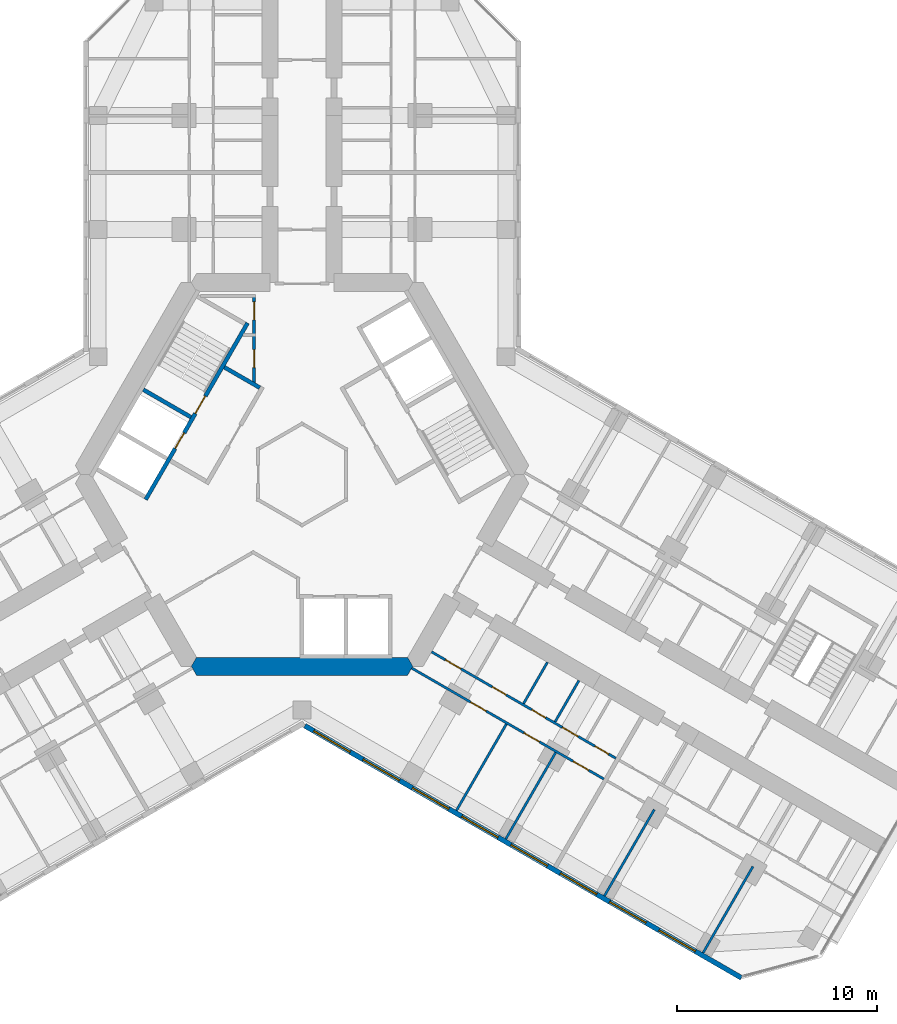
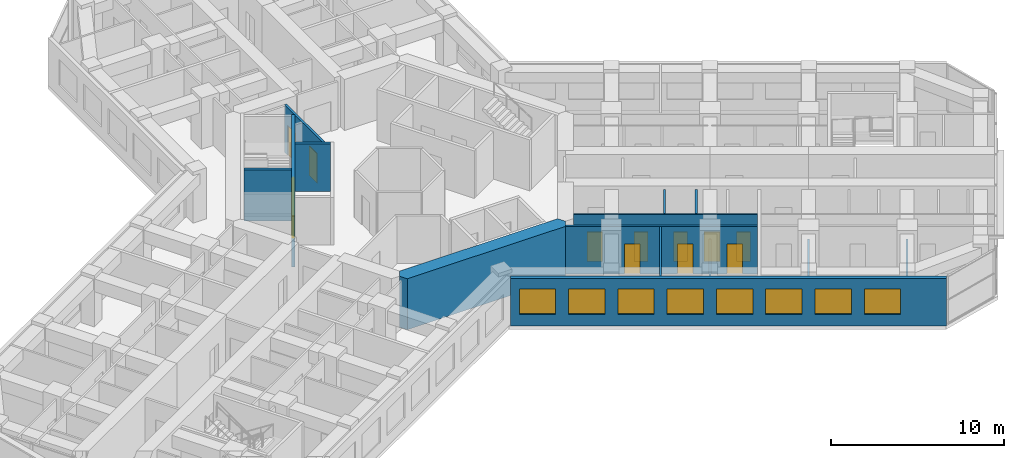
# One storey, part 13 of 19: 14 walls, 12 doors, 8 windows, 20 openings.
"""IFC4 building model written with IfcOpenShell, lengths in metres."""

from ifc_helpers import new_model, si_unit, direction, frame, frame_2d, origin, place, context, subcontext, project, spatial, polyline, rectangle, outline, extrude, material, layer, layer_set, type_object, element, fill, save


model = new_model("IFC4")

# Units and contexts
model_context = context("Model", 3, precision=1e-05, world=origin(), true_north=direction((0.0, 1.0)))
body_context = subcontext(model_context, "Body", "Model", "MODEL_VIEW")
ifc_project = project(units=[si_unit("LENGTHUNIT", "METRE"), si_unit("AREAUNIT", "SQUARE_METRE"), si_unit("VOLUMEUNIT", "CUBIC_METRE"), si_unit("PLANEANGLEUNIT", "RADIAN"), si_unit("MASSUNIT", "GRAM", prefix="KILO")], contexts=[model_context])

# Site, building, storey
site_placement = place(None, origin())
site = spatial("IfcSite", under=ifc_project, at=site_placement, CompositionType="ELEMENT")
building_placement = place(site_placement, origin())
building = spatial("IfcBuilding", under=site, at=building_placement, Name="Kosmar Iwan School Tower", CompositionType="ELEMENT")
storey_placement = place(building_placement, frame((0.0, 0.0, 172.39990234375)))
storey = spatial("IfcBuildingStorey", under=building, at=storey_placement, Name="L43", CompositionType="ELEMENT", Elevation=172.39990234375)

# Wall, openings, doors
ifc_material_1 = material(Name="Gypsum board on steel studs, fire-rated", Category="steel")
ifc_layer_1 = layer(ifc_material_1, 0.14990234375)
ifc_layer_set_1 = layer_set([ifc_layer_1], Name="Core room partition 150")
wall_type_1 = type_object("IfcWallType", Name="Core room partition 150", PredefinedType="PARTITIONING", material=ifc_layer_set_1)
wall_1_placement = place(storey_placement, frame((-2.39990234375, 9.014892578125, 0.0), z_axis=(0.0, 0.0, 1.0), x_axis=(0.0, -1.0, 0.0)))
wall_1 = element("IfcWall", 1, at=wall_1_placement, inside=storey, type_object=wall_type_1, Name="Core room partition L43-CW1", PredefinedType="PARTITIONING", context=body_context, shape_type="SweptSolid", body=[
    extrude(rectangle(XDim=4.484130859375, YDim=0.14990234375, at=frame_2d((2.2421875, 0.0))), origin(), (0.0, 0.0, 1.0), 3.35009765625),
])
opening_1_placement = place(wall_1_placement, frame((0.375, 0.0, 0.0)))
opening_1 = element("IfcOpeningElement", 2, at=opening_1_placement, cuts=wall_1, Name="Opening D14", PredefinedType="OPENING", context=body_context, shape_type="SweptSolid", body=[
    extrude(rectangle(XDim=0.89990234375, YDim=2.10009765625, at=frame_2d((0.449951171875, 1.050048828125))), frame((0.0, 0.0869140625, 0.0), z_axis=(0.0, -1.0, 0.0), x_axis=(1.0, 0.0, 0.0)), (0.0, 0.0, 1.0), 0.173828125),
])
opening_2_placement = place(wall_1_placement, frame((2.77490234375, 0.0, 0.0)))
opening_2 = element("IfcOpeningElement", 3, at=opening_2_placement, cuts=wall_1, Name="Opening D14", PredefinedType="OPENING", context=body_context, shape_type="SweptSolid", body=[
    extrude(rectangle(XDim=0.89990234375, YDim=2.10009765625, at=frame_2d((0.449951171875, 1.050048828125))), frame((0.0, 0.0869140625, 0.0), z_axis=(0.0, -1.0, 0.0), x_axis=(1.0, 0.0, 0.0)), (0.0, 0.0, 1.0), 0.173828125),
])
ifc_material_2 = material(Name="Timber fire door in steel frame", Category="steel")
door_type_1 = type_object("IfcDoorType", Name="Core room door 900x2100", OperationType="SINGLE_SWING_LEFT", PredefinedType="DOOR", material=ifc_material_2)
door_1_placement = place(opening_1_placement, origin())
door_1 = element("IfcDoor", 4, at=door_1_placement, inside=storey, type_object=door_type_1, Name="Electrical riser and switch room door L43 1", OperationType="SINGLE_SWING_LEFT", OverallHeight=2.10009765625, OverallWidth=0.89990234375, PredefinedType="DOOR", context=body_context, shape_type="SweptSolid", body=[
    extrude(rectangle(XDim=0.89990234375, YDim=2.10009765625, at=frame_2d((0.449951171875, 1.050048828125))), frame((0.0, 0.02490234375, 0.0), z_axis=(0.0, -1.0, 0.0), x_axis=(1.0, 0.0, 0.0)), (0.0, 0.0, 1.0), 0.050048828125),
])
fill(opening_1, door_1)
door_2_placement = place(opening_2_placement, origin())
door_2 = element("IfcDoor", 5, at=door_2_placement, inside=storey, type_object=door_type_1, Name="Plumbing and wet riser door L43 2", OperationType="SINGLE_SWING_RIGHT", OverallHeight=2.10009765625, OverallWidth=0.89990234375, PredefinedType="DOOR", context=body_context, shape_type="SweptSolid", body=[
    extrude(rectangle(XDim=0.89990234375, YDim=2.10009765625, at=frame_2d((0.449951171875, 1.050048828125))), frame((0.0, 0.02490234375, 0.0), z_axis=(0.0, -1.0, 0.0), x_axis=(1.0, 0.0, 0.0)), (0.0, 0.0, 1.0), 0.050048828125),
])
fill(opening_2, door_2)

# Wall
ifc_material_3 = material(Name="Concrete C50/60", Category="concrete")
ifc_layer_2 = layer(ifc_material_3, 0.89990234375)
ifc_layer_set_2 = layer_set([ifc_layer_2], Name="Core wall 900")
wall_type_2 = type_object("IfcWallType", Name="Core wall 900", PredefinedType="SHEAR", material=ifc_layer_set_2)
wall_2_placement = place(storey_placement, origin())
element("IfcWall", 6, at=wall_2_placement, inside=storey, type_object=wall_type_2, Name="Core wall F270", PredefinedType="SHEAR", context=body_context, shape_type="SweptSolid", body=[
    extrude(outline(polyline([(-5.28271484375, -10.050048828125), (5.28271484375, -10.050048828125), (5.54248046875, -9.60009765625), (5.28271484375, -9.14990234375), (-5.28271484375, -9.14990234375), (-5.54248046875, -9.60009765625), (-5.28271484375, -10.050048828125)])), origin(), (0.0, 0.0, 1.0), 3.60009765625),
])

# Wall, openings, doors
ifc_material_4 = material(Name="Gypsum board on steel studs", Category="steel")
ifc_layer_3 = layer(ifc_material_4, 0.1201171875)
ifc_layer_set_3 = layer_set([ifc_layer_3], Name="Dwelling partition 120")
wall_type_3 = type_object("IfcWallType", Name="Dwelling partition 120", PredefinedType="PARTITIONING", material=ifc_layer_set_3)
wall_3_placement = place(storey_placement, frame((6.478515625, -8.87890625, 0.0), z_axis=(0.0, 0.0, 1.0), x_axis=(0.866026778288, -0.499997619282, 0.0)))
wall_3 = element("IfcWall", 7, at=wall_3_placement, inside=storey, type_object=wall_type_3, Name="Partition L43-CR1-W1", PredefinedType="PARTITIONING", context=body_context, shape_type="SweptSolid", body=[
    extrude(rectangle(XDim=10.64990234375, YDim=0.1201171875, at=frame_2d((5.324951171875, 0.0))), origin(), (0.0, 0.0, 1.0), 3.35009765625),
])
opening_3_placement = place(wall_3_placement, frame((0.800048828125, 0.0, 0.0)))
opening_3 = element("IfcOpeningElement", 8, at=opening_3_placement, cuts=wall_3, Name="Opening D2", PredefinedType="OPENING", context=body_context, shape_type="SweptSolid", body=[
    extrude(rectangle(XDim=0.89990234375, YDim=2.10009765625, at=frame_2d((0.449951171875, 1.050048828125))), frame((0.0, 0.072021484375, 0.0), z_axis=(0.0, -1.0, 0.0), x_axis=(1.0, 0.0, 0.0)), (0.0, 0.0, 1.0), 0.14404296875),
])
opening_4_placement = place(wall_3_placement, frame((3.5166015625, 0.0, 0.0)))
opening_4 = element("IfcOpeningElement", 9, at=opening_4_placement, cuts=wall_3, Name="Opening D3", PredefinedType="OPENING", context=body_context, shape_type="SweptSolid", body=[
    extrude(rectangle(XDim=0.800048828125, YDim=2.10009765625, at=frame_2d((0.39990234375, 1.050048828125))), frame((0.0, 0.072021484375, 0.0), z_axis=(0.0, -1.0, 0.0), x_axis=(1.0, 0.0, 0.0)), (0.0, 0.0, 1.0), 0.14404296875),
])
opening_5_placement = place(wall_3_placement, frame((5.79443359375, 0.0, 0.0)))
opening_5 = element("IfcOpeningElement", 10, at=opening_5_placement, cuts=wall_3, Name="Opening D3", PredefinedType="OPENING", context=body_context, shape_type="SweptSolid", body=[
    extrude(rectangle(XDim=0.800048828125, YDim=2.10009765625, at=frame_2d((0.39990234375, 1.050048828125))), frame((0.0, 0.072021484375, 0.0), z_axis=(0.0, -1.0, 0.0), x_axis=(1.0, 0.0, 0.0)), (0.0, 0.0, 1.0), 0.14404296875),
])
opening_6_placement = place(wall_3_placement, frame((7.566650390625, 0.0, 0.0)))
opening_6 = element("IfcOpeningElement", 11, at=opening_6_placement, cuts=wall_3, Name="Opening D2", PredefinedType="OPENING", context=body_context, shape_type="SweptSolid", body=[
    extrude(rectangle(XDim=0.89990234375, YDim=2.10009765625, at=frame_2d((0.449951171875, 1.050048828125))), frame((0.0, 0.072021484375, 0.0), z_axis=(0.0, -1.0, 0.0), x_axis=(1.0, 0.0, 0.0)), (0.0, 0.0, 1.0), 0.14404296875),
])
opening_7_placement = place(wall_3_placement, frame((9.43896484375, 0.0, 0.0)))
opening_7 = element("IfcOpeningElement", 12, at=opening_7_placement, cuts=wall_3, Name="Opening D3", PredefinedType="OPENING", context=body_context, shape_type="SweptSolid", body=[
    extrude(rectangle(XDim=0.800048828125, YDim=2.10009765625, at=frame_2d((0.39990234375, 1.050048828125))), frame((0.0, 0.072021484375, 0.0), z_axis=(0.0, -1.0, 0.0), x_axis=(1.0, 0.0, 0.0)), (0.0, 0.0, 1.0), 0.14404296875),
])
ifc_material_5 = material(Name="Timber door in timber frame", Category="wood")
door_type_2 = type_object("IfcDoorType", Name="Internal door 900x2100", OperationType="SINGLE_SWING_LEFT", PredefinedType="DOOR", material=ifc_material_5)
door_3_placement = place(opening_3_placement, origin())
door_3 = element("IfcDoor", 13, at=door_3_placement, inside=storey, type_object=door_type_2, Name="Entrance hall door L43-CR1-S1", OperationType="SINGLE_SWING_LEFT", OverallHeight=2.10009765625, OverallWidth=0.89990234375, PredefinedType="DOOR", context=body_context, shape_type="SweptSolid", body=[
    extrude(rectangle(XDim=0.89990234375, YDim=2.10009765625, at=frame_2d((0.449951171875, 1.050048828125))), frame((0.0, 0.02490234375, 0.0), z_axis=(0.0, -1.0, 0.0), x_axis=(1.0, 0.0, 0.0)), (0.0, 0.0, 1.0), 0.050048828125),
])
fill(opening_3, door_3)
door_4_placement = place(opening_6_placement, origin())
door_4 = element("IfcDoor", 14, at=door_4_placement, inside=storey, type_object=door_type_2, Name="Pantry door L43-CR1-S4", OperationType="SINGLE_SWING_RIGHT", OverallHeight=2.10009765625, OverallWidth=0.89990234375, PredefinedType="DOOR", context=body_context, shape_type="SweptSolid", body=[
    extrude(rectangle(XDim=0.89990234375, YDim=2.10009765625, at=frame_2d((0.449951171875, 1.050048828125))), frame((0.0, 0.02490234375, 0.0), z_axis=(0.0, -1.0, 0.0), x_axis=(1.0, 0.0, 0.0)), (0.0, 0.0, 1.0), 0.050048828125),
])
fill(opening_6, door_4)
ifc_material_6 = material(Name="Timber door in timber frame", Category="wood")
door_type_3 = type_object("IfcDoorType", Name="Sanitary room door 800x2100", OperationType="SINGLE_SWING_LEFT", PredefinedType="DOOR", material=ifc_material_6)
door_5_placement = place(opening_4_placement, origin())
door_5 = element("IfcDoor", 15, at=door_5_placement, inside=storey, type_object=door_type_3, Name="Bathroom door L43-CR1-S2", OperationType="SINGLE_SWING_RIGHT", OverallHeight=2.10009765625, OverallWidth=0.800048828125, PredefinedType="DOOR", context=body_context, shape_type="SweptSolid", body=[
    extrude(rectangle(XDim=0.800048828125, YDim=2.10009765625, at=frame_2d((0.39990234375, 1.050048828125))), frame((0.0, 0.02490234375, 0.0), z_axis=(0.0, -1.0, 0.0), x_axis=(1.0, 0.0, 0.0)), (0.0, 0.0, 1.0), 0.050048828125),
])
fill(opening_4, door_5)
door_6_placement = place(opening_5_placement, origin())
door_6 = element("IfcDoor", 16, at=door_6_placement, inside=storey, type_object=door_type_3, Name="Shower room door L43-CR1-S3", OperationType="SINGLE_SWING_LEFT", OverallHeight=2.10009765625, OverallWidth=0.800048828125, PredefinedType="DOOR", context=body_context, shape_type="SweptSolid", body=[
    extrude(rectangle(XDim=0.800048828125, YDim=2.10009765625, at=frame_2d((0.39990234375, 1.050048828125))), frame((0.0, 0.02490234375, 0.0), z_axis=(0.0, -1.0, 0.0), x_axis=(1.0, 0.0, 0.0)), (0.0, 0.0, 1.0), 0.050048828125),
])
fill(opening_5, door_6)
door_7_placement = place(opening_7_placement, origin())
door_7 = element("IfcDoor", 17, at=door_7_placement, inside=storey, type_object=door_type_3, Name="WC door L43-CR1-S5", OperationType="SINGLE_SWING_RIGHT", OverallHeight=2.10009765625, OverallWidth=0.800048828125, PredefinedType="DOOR", context=body_context, shape_type="SweptSolid", body=[
    extrude(rectangle(XDim=0.800048828125, YDim=2.10009765625, at=frame_2d((0.39990234375, 1.050048828125))), frame((0.0, 0.02490234375, 0.0), z_axis=(0.0, -1.0, 0.0), x_axis=(1.0, 0.0, 0.0)), (0.0, 0.0, 1.0), 0.050048828125),
])
fill(opening_7, door_7)

wall_4_placement = place(storey_placement, frame((5.48876953125, -9.693115234375, 0.0), z_axis=(0.0, 0.0, 1.0), x_axis=(0.866026992824, -0.499997247692, 0.0)))
wall_4 = element("IfcWall", 18, at=wall_4_placement, inside=storey, type_object=wall_type_3, Name="Partition L43-CR1-W2", PredefinedType="PARTITIONING", context=body_context, shape_type="SweptSolid", body=[
    extrude(rectangle(XDim=11.10009765625, YDim=0.1201171875, at=frame_2d((5.550048828125, 0.0))), origin(), (0.0, 0.0, 1.0), 3.35009765625),
])
opening_8_placement = place(wall_4_placement, frame((3.39990234375, 0.0, 0.0)))
opening_8 = element("IfcOpeningElement", 19, at=opening_8_placement, cuts=wall_4, Name="Opening D2", PredefinedType="OPENING", context=body_context, shape_type="SweptSolid", body=[
    extrude(rectangle(XDim=0.89990234375, YDim=2.10009765625, at=frame_2d((0.449951171875, 1.050048828125))), frame((0.0, 0.072021484375, 0.0), z_axis=(0.0, -1.0, 0.0), x_axis=(1.0, 0.0, 0.0)), (0.0, 0.0, 1.0), 0.14404296875),
])
opening_9_placement = place(wall_4_placement, frame((6.47509765625, 0.0, 0.0)))
opening_9 = element("IfcOpeningElement", 20, at=opening_9_placement, cuts=wall_4, Name="Opening D2", PredefinedType="OPENING", context=body_context, shape_type="SweptSolid", body=[
    extrude(rectangle(XDim=0.89990234375, YDim=2.10009765625, at=frame_2d((0.449951171875, 1.050048828125))), frame((0.0, 0.072021484375, 0.0), z_axis=(0.0, -1.0, 0.0), x_axis=(1.0, 0.0, 0.0)), (0.0, 0.0, 1.0), 0.14404296875),
])
opening_10_placement = place(wall_4_placement, frame((9.324951171875, 0.0, 0.0)))
opening_10 = element("IfcOpeningElement", 21, at=opening_10_placement, cuts=wall_4, Name="Opening D2", PredefinedType="OPENING", context=body_context, shape_type="SweptSolid", body=[
    extrude(rectangle(XDim=0.89990234375, YDim=2.10009765625, at=frame_2d((0.449951171875, 1.050048828125))), frame((0.0, 0.072021484375, 0.0), z_axis=(0.0, -1.0, 0.0), x_axis=(1.0, 0.0, 0.0)), (0.0, 0.0, 1.0), 0.14404296875),
])
door_8_placement = place(opening_8_placement, origin())
door_8 = element("IfcDoor", 22, at=door_8_placement, inside=storey, type_object=door_type_2, Name="Living room and kitchen door L43-CR1-F1", OperationType="SINGLE_SWING_LEFT", OverallHeight=2.10009765625, OverallWidth=0.89990234375, PredefinedType="DOOR", context=body_context, shape_type="SweptSolid", body=[
    extrude(rectangle(XDim=0.89990234375, YDim=2.10009765625, at=frame_2d((0.449951171875, 1.050048828125))), frame((0.0, 0.02490234375, 0.0), z_axis=(0.0, -1.0, 0.0), x_axis=(1.0, 0.0, 0.0)), (0.0, 0.0, 1.0), 0.050048828125),
])
fill(opening_8, door_8)
door_9_placement = place(opening_9_placement, origin())
door_9 = element("IfcDoor", 23, at=door_9_placement, inside=storey, type_object=door_type_2, Name="Bedroom 1 door L43-CR1-F2", OperationType="SINGLE_SWING_RIGHT", OverallHeight=2.10009765625, OverallWidth=0.89990234375, PredefinedType="DOOR", context=body_context, shape_type="SweptSolid", body=[
    extrude(rectangle(XDim=0.89990234375, YDim=2.10009765625, at=frame_2d((0.449951171875, 1.050048828125))), frame((0.0, 0.02490234375, 0.0), z_axis=(0.0, -1.0, 0.0), x_axis=(1.0, 0.0, 0.0)), (0.0, 0.0, 1.0), 0.050048828125),
])
fill(opening_9, door_9)
door_10_placement = place(opening_10_placement, origin())
door_10 = element("IfcDoor", 24, at=door_10_placement, inside=storey, type_object=door_type_2, Name="Bedroom 2 door L43-CR1-F3", OperationType="SINGLE_SWING_RIGHT", OverallHeight=2.10009765625, OverallWidth=0.89990234375, PredefinedType="DOOR", context=body_context, shape_type="SweptSolid", body=[
    extrude(rectangle(XDim=0.89990234375, YDim=2.10009765625, at=frame_2d((0.449951171875, 1.050048828125))), frame((0.0, 0.02490234375, 0.0), z_axis=(0.0, -1.0, 0.0), x_axis=(1.0, 0.0, 0.0)), (0.0, 0.0, 1.0), 0.050048828125),
])
fill(opening_10, door_10)

# Walls
wall_5_placement = place(storey_placement, frame((10.221923828125, -12.4951171875, 0.0), z_axis=(0.0, 0.0, 1.0), x_axis=(-0.499996339024, -0.86602751744, 0.0)))
element("IfcWall", 25, at=wall_5_placement, inside=storey, type_object=wall_type_3, Name="Partition L43-CR1-X1", PredefinedType="PARTITIONING", context=body_context, shape_type="SweptSolid", body=[
    extrude(rectangle(XDim=4.98974609375, YDim=0.1201171875, at=frame_2d((2.494873046875, 0.0))), origin(), (0.0, 0.0, 1.0), 3.35009765625),
])
wall_6_placement = place(storey_placement, frame((12.690185546875, -13.919921875, 0.0), z_axis=(0.0, 0.0, 1.0), x_axis=(-0.500011847778, -0.866018563358, 0.0)))
element("IfcWall", 26, at=wall_6_placement, inside=storey, type_object=wall_type_3, Name="Partition L43-CR1-X2", PredefinedType="PARTITIONING", context=body_context, shape_type="SweptSolid", body=[
    extrude(rectangle(XDim=4.990234375, YDim=0.1201171875, at=frame_2d((2.4951171875, 0.0))), origin(), (0.0, 0.0, 1.0), 2.4501953125),
])
for number, where, z_axis, x_axis, name in (
    (27, (12.279052734375, -9.398681640625, 0.0), (0.0, 0.0, 1.0), (-0.500017192868, -0.86601547725, 0.0), "Partition L43-CR1-Y2"),
    (28, (13.857177734375, -10.309814453125, 0.0), (0.0, 0.0, 1.0), (-0.500017192868, -0.86601547725, 0.0), "Partition L43-CR1-Y3"),
):
    element("IfcWall", number, at=place(storey_placement, frame(where, z_axis=z_axis, x_axis=x_axis)), inside=storey, type_object=wall_type_3, Name=name, PredefinedType="PARTITIONING", context=body_context, shape_type="SweptSolid", body=[
        extrude(rectangle(XDim=2.39013671875, YDim=0.1201171875, at=frame_2d((1.195068359375, 0.0))), origin(), (0.0, 0.0, 1.0), 3.35009765625),
    ])
wall_7_placement = place(storey_placement, frame((17.62646484375, -16.77001953125, 0.0), z_axis=(0.0, 0.0, 1.0), x_axis=(-0.499975153383, -0.86603974851, 0.0)))
element("IfcWall", 29, at=wall_7_placement, inside=storey, type_object=wall_type_3, Name="Partition L43-CR2-X1", PredefinedType="PARTITIONING", context=body_context, shape_type="SweptSolid", body=[
    extrude(rectangle(XDim=4.989990234375, YDim=0.1201171875, at=frame_2d((2.4951171875, 0.0))), origin(), (0.0, 0.0, 1.0), 2.4501953125),
])
wall_8_placement = place(storey_placement, frame((22.562744140625, -19.6201171875, 0.0), z_axis=(0.0, 0.0, 1.0), x_axis=(-0.499996339024, -0.86602751744, 0.0)))
element("IfcWall", 30, at=wall_8_placement, inside=storey, type_object=wall_type_3, Name="Partition L43-CR2-X2", PredefinedType="PARTITIONING", context=body_context, shape_type="SweptSolid", body=[
    extrude(rectangle(XDim=4.98974609375, YDim=0.1201171875, at=frame_2d((2.494873046875, 0.0))), origin(), (0.0, 0.0, 1.0), 2.4501953125),
])

# Wall, openings, windows
ifc_material_7 = material(Name="Black aluminium rainscreen on insulated framing", Category="aluminium")
ifc_layer_4 = layer(ifc_material_7, 0.25)
ifc_layer_set_4 = layer_set([ifc_layer_4], Name="External wall rainscreen 250")
wall_type_4 = type_object("IfcWallType", Name="External wall rainscreen 250", PredefinedType="SOLIDWALL", material=ifc_layer_set_4)
wall_9_placement = place(storey_placement, frame((0.137939453125, -12.5791015625, 0.0), z_axis=(0.0, 0.0, 1.0), x_axis=(0.866023775649, -0.500002820003, 0.0)))
wall_9 = element("IfcWall", 31, at=wall_9_placement, inside=storey, type_object=wall_type_4, Name="External wall CR L43", PredefinedType="SOLIDWALL", context=body_context, shape_type="SweptSolid", body=[
    extrude(rectangle(XDim=25.226318359375, YDim=0.25, at=frame_2d((12.61328125, 0.0))), origin(), (0.0, 0.0, 1.0), 3.35009765625),
])
opening_11_placement = place(wall_9_placement, frame((0.51611328125, 0.0, 0.800048828125)))
opening_11 = element("IfcOpeningElement", 32, at=opening_11_placement, cuts=wall_9, Name="Opening W4", PredefinedType="OPENING", context=body_context, shape_type="SweptSolid", body=[
    extrude(rectangle(XDim=2.10009765625, YDim=1.800048828125, at=frame_2d((1.050048828125, 0.89990234375))), frame((0.0, 0.136962890625, 0.0), z_axis=(0.0, -1.0, 0.0), x_axis=(1.0, 0.0, 0.0)), (0.0, 0.0, 1.0), 0.27392578125),
])
opening_12_placement = place(wall_9_placement, frame((3.365966796875, 0.0, 0.800048828125)))
opening_12 = element("IfcOpeningElement", 33, at=opening_12_placement, cuts=wall_9, Name="Opening W4", PredefinedType="OPENING", context=body_context, shape_type="SweptSolid", body=[
    extrude(rectangle(XDim=2.10009765625, YDim=1.800048828125, at=frame_2d((1.050048828125, 0.89990234375))), frame((0.0, 0.136962890625, 0.0), z_axis=(0.0, -1.0, 0.0), x_axis=(1.0, 0.0, 0.0)), (0.0, 0.0, 1.0), 0.27392578125),
])
opening_13_placement = place(wall_9_placement, frame((6.216064453125, 0.0, 0.800048828125)))
opening_13 = element("IfcOpeningElement", 34, at=opening_13_placement, cuts=wall_9, Name="Opening W4", PredefinedType="OPENING", context=body_context, shape_type="SweptSolid", body=[
    extrude(rectangle(XDim=2.10009765625, YDim=1.800048828125, at=frame_2d((1.050048828125, 0.89990234375))), frame((0.0, 0.136962890625, 0.0), z_axis=(0.0, -1.0, 0.0), x_axis=(1.0, 0.0, 0.0)), (0.0, 0.0, 1.0), 0.27392578125),
])
opening_14_placement = place(wall_9_placement, frame((9.06591796875, 0.0, 0.800048828125)))
opening_14 = element("IfcOpeningElement", 35, at=opening_14_placement, cuts=wall_9, Name="Opening W4", PredefinedType="OPENING", context=body_context, shape_type="SweptSolid", body=[
    extrude(rectangle(XDim=2.10009765625, YDim=1.800048828125, at=frame_2d((1.050048828125, 0.89990234375))), frame((0.0, 0.136962890625, 0.0), z_axis=(0.0, -1.0, 0.0), x_axis=(1.0, 0.0, 0.0)), (0.0, 0.0, 1.0), 0.27392578125),
])
opening_15_placement = place(wall_9_placement, frame((11.916015625, 0.0, 0.800048828125)))
opening_15 = element("IfcOpeningElement", 36, at=opening_15_placement, cuts=wall_9, Name="Opening W4", PredefinedType="OPENING", context=body_context, shape_type="SweptSolid", body=[
    extrude(rectangle(XDim=2.10009765625, YDim=1.800048828125, at=frame_2d((1.050048828125, 0.89990234375))), frame((0.0, 0.136962890625, 0.0), z_axis=(0.0, -1.0, 0.0), x_axis=(1.0, 0.0, 0.0)), (0.0, 0.0, 1.0), 0.27392578125),
])
opening_16_placement = place(wall_9_placement, frame((14.76611328125, 0.0, 0.800048828125)))
opening_16 = element("IfcOpeningElement", 37, at=opening_16_placement, cuts=wall_9, Name="Opening W4", PredefinedType="OPENING", context=body_context, shape_type="SweptSolid", body=[
    extrude(rectangle(XDim=2.10009765625, YDim=1.800048828125, at=frame_2d((1.050048828125, 0.89990234375))), frame((0.0, 0.136962890625, 0.0), z_axis=(0.0, -1.0, 0.0), x_axis=(1.0, 0.0, 0.0)), (0.0, 0.0, 1.0), 0.27392578125),
])
opening_17_placement = place(wall_9_placement, frame((17.615966796875, 0.0, 0.800048828125)))
opening_17 = element("IfcOpeningElement", 38, at=opening_17_placement, cuts=wall_9, Name="Opening W4", PredefinedType="OPENING", context=body_context, shape_type="SweptSolid", body=[
    extrude(rectangle(XDim=2.10009765625, YDim=1.800048828125, at=frame_2d((1.050048828125, 0.89990234375))), frame((0.0, 0.136962890625, 0.0), z_axis=(0.0, -1.0, 0.0), x_axis=(1.0, 0.0, 0.0)), (0.0, 0.0, 1.0), 0.27392578125),
])
opening_18_placement = place(wall_9_placement, frame((20.466064453125, 0.0, 0.800048828125)))
opening_18 = element("IfcOpeningElement", 39, at=opening_18_placement, cuts=wall_9, Name="Opening W4", PredefinedType="OPENING", context=body_context, shape_type="SweptSolid", body=[
    extrude(rectangle(XDim=2.10009765625, YDim=1.800048828125, at=frame_2d((1.050048828125, 0.89990234375))), frame((0.0, 0.136962890625, 0.0), z_axis=(0.0, -1.0, 0.0), x_axis=(1.0, 0.0, 0.0)), (0.0, 0.0, 1.0), 0.27392578125),
])
ifc_material_8 = material(Name="Black aluminium frame with dark triple glazing", Category="aluminium")
window_type = type_object("IfcWindowType", Name="Window 2100x1800", PartitioningType="SINGLE_PANEL", PredefinedType="WINDOW", material=ifc_material_8)
window_1_placement = place(opening_11_placement, origin())
window_1 = element("IfcWindow", 40, at=window_1_placement, inside=storey, type_object=window_type, Name="Window CR L43 -1", OverallHeight=1.800048828125, OverallWidth=2.10009765625, PartitioningType="SINGLE_PANEL", PredefinedType="WINDOW", context=body_context, shape_type="SweptSolid", body=[
    extrude(rectangle(XDim=2.10009765625, YDim=1.800048828125, at=frame_2d((1.050048828125, 0.89990234375))), frame((0.0, 0.030029296875, 0.0), z_axis=(0.0, -1.0, 0.0), x_axis=(1.0, 0.0, 0.0)), (0.0, 0.0, 1.0), 0.06005859375),
])
fill(opening_11, window_1)
window_2_placement = place(opening_12_placement, origin())
window_2 = element("IfcWindow", 41, at=window_2_placement, inside=storey, type_object=window_type, Name="Window CR L43 0", OverallHeight=1.800048828125, OverallWidth=2.10009765625, PartitioningType="SINGLE_PANEL", PredefinedType="WINDOW", context=body_context, shape_type="SweptSolid", body=[
    extrude(rectangle(XDim=2.10009765625, YDim=1.800048828125, at=frame_2d((1.050048828125, 0.89990234375))), frame((0.0, 0.030029296875, 0.0), z_axis=(0.0, -1.0, 0.0), x_axis=(1.0, 0.0, 0.0)), (0.0, 0.0, 1.0), 0.06005859375),
])
fill(opening_12, window_2)
window_3_placement = place(opening_13_placement, origin())
window_3 = element("IfcWindow", 42, at=window_3_placement, inside=storey, type_object=window_type, Name="Window CR L43 1", OverallHeight=1.800048828125, OverallWidth=2.10009765625, PartitioningType="SINGLE_PANEL", PredefinedType="WINDOW", context=body_context, shape_type="SweptSolid", body=[
    extrude(rectangle(XDim=2.10009765625, YDim=1.800048828125, at=frame_2d((1.050048828125, 0.89990234375))), frame((0.0, 0.030029296875, 0.0), z_axis=(0.0, -1.0, 0.0), x_axis=(1.0, 0.0, 0.0)), (0.0, 0.0, 1.0), 0.06005859375),
])
fill(opening_13, window_3)
window_4_placement = place(opening_14_placement, origin())
window_4 = element("IfcWindow", 43, at=window_4_placement, inside=storey, type_object=window_type, Name="Window CR L43 2", OverallHeight=1.800048828125, OverallWidth=2.10009765625, PartitioningType="SINGLE_PANEL", PredefinedType="WINDOW", context=body_context, shape_type="SweptSolid", body=[
    extrude(rectangle(XDim=2.10009765625, YDim=1.800048828125, at=frame_2d((1.050048828125, 0.89990234375))), frame((0.0, 0.030029296875, 0.0), z_axis=(0.0, -1.0, 0.0), x_axis=(1.0, 0.0, 0.0)), (0.0, 0.0, 1.0), 0.06005859375),
])
fill(opening_14, window_4)
window_5_placement = place(opening_15_placement, origin())
window_5 = element("IfcWindow", 44, at=window_5_placement, inside=storey, type_object=window_type, Name="Window CR L43 3", OverallHeight=1.800048828125, OverallWidth=2.10009765625, PartitioningType="SINGLE_PANEL", PredefinedType="WINDOW", context=body_context, shape_type="SweptSolid", body=[
    extrude(rectangle(XDim=2.10009765625, YDim=1.800048828125, at=frame_2d((1.050048828125, 0.89990234375))), frame((0.0, 0.030029296875, 0.0), z_axis=(0.0, -1.0, 0.0), x_axis=(1.0, 0.0, 0.0)), (0.0, 0.0, 1.0), 0.06005859375),
])
fill(opening_15, window_5)
window_6_placement = place(opening_16_placement, origin())
window_6 = element("IfcWindow", 45, at=window_6_placement, inside=storey, type_object=window_type, Name="Window CR L43 4", OverallHeight=1.800048828125, OverallWidth=2.10009765625, PartitioningType="SINGLE_PANEL", PredefinedType="WINDOW", context=body_context, shape_type="SweptSolid", body=[
    extrude(rectangle(XDim=2.10009765625, YDim=1.800048828125, at=frame_2d((1.050048828125, 0.89990234375))), frame((0.0, 0.030029296875, 0.0), z_axis=(0.0, -1.0, 0.0), x_axis=(1.0, 0.0, 0.0)), (0.0, 0.0, 1.0), 0.06005859375),
])
fill(opening_16, window_6)
window_7_placement = place(opening_17_placement, origin())
window_7 = element("IfcWindow", 46, at=window_7_placement, inside=storey, type_object=window_type, Name="Window CR L43 5", OverallHeight=1.800048828125, OverallWidth=2.10009765625, PartitioningType="SINGLE_PANEL", PredefinedType="WINDOW", context=body_context, shape_type="SweptSolid", body=[
    extrude(rectangle(XDim=2.10009765625, YDim=1.800048828125, at=frame_2d((1.050048828125, 0.89990234375))), frame((0.0, 0.030029296875, 0.0), z_axis=(0.0, -1.0, 0.0), x_axis=(1.0, 0.0, 0.0)), (0.0, 0.0, 1.0), 0.06005859375),
])
fill(opening_17, window_7)
window_8_placement = place(opening_18_placement, origin())
window_8 = element("IfcWindow", 47, at=window_8_placement, inside=storey, type_object=window_type, Name="Window CR L43 6", OverallHeight=1.800048828125, OverallWidth=2.10009765625, PartitioningType="SINGLE_PANEL", PredefinedType="WINDOW", context=body_context, shape_type="SweptSolid", body=[
    extrude(rectangle(XDim=2.10009765625, YDim=1.800048828125, at=frame_2d((1.050048828125, 0.89990234375))), frame((0.0, 0.030029296875, 0.0), z_axis=(0.0, -1.0, 0.0), x_axis=(1.0, 0.0, 0.0)), (0.0, 0.0, 1.0), 0.06005859375),
])
fill(opening_18, window_8)

# Wall
ifc_material_9 = material(Name="Concrete block masonry", Category="masonry")
ifc_layer_5 = layer(ifc_material_9, 0.199951171875)
ifc_layer_set_5 = layer_set([ifc_layer_5], Name="Fire lobby wall 200")
wall_type_5 = type_object("IfcWallType", Name="Fire lobby wall 200", PredefinedType="PARTITIONING", material=ifc_layer_set_5)
wall_10_placement = place(storey_placement, frame((-2.114013671875, 4.33837890625, 0.0), z_axis=(0.0, 0.0, 1.0), x_axis=(-0.866050731258, 0.499956128963, 0.0)))
element("IfcWall", 48, at=wall_10_placement, inside=storey, type_object=wall_type_5, Name="Firefighting lobby wall ST2", PredefinedType="PARTITIONING", context=body_context, shape_type="SweptSolid", body=[
    extrude(rectangle(XDim=2.050048828125, YDim=0.199951171875, at=frame_2d((1.02490234375, 0.0))), origin(), (0.0, 0.0, 1.0), 3.35009765625),
])

# Wall, openings, doors
ifc_material_10 = material(Name="Concrete C50/60", Category="concrete")
ifc_layer_6 = layer(ifc_material_10, 0.199951171875)
ifc_layer_set_6 = layer_set([ifc_layer_6], Name="Lift shaft wall 200")
wall_type_6 = type_object("IfcWallType", Name="Lift shaft wall 200", PredefinedType="SHEAR", material=ifc_layer_set_6)
wall_11_placement = place(storey_placement, frame((-2.72607421875, 7.578369140625, 0.0), z_axis=(0.0, 0.0, 1.0), x_axis=(-0.500005610874, -0.86602216432, 0.0)))
wall_11 = element("IfcWall", 49, at=wall_11_placement, inside=storey, type_object=wall_type_6, Name="Lift and stair front wall AB", PredefinedType="SHEAR", context=body_context, shape_type="SweptSolid", body=[
    extrude(rectangle(XDim=10.2001953125, YDim=0.199951171875, at=frame_2d((5.10009765625, 0.0))), origin(), (0.0, 0.0, 1.0), 3.60009765625),
])
opening_19_placement = place(wall_11_placement, frame((6.35009765625, 0.0, 0.0)))
opening_19 = element("IfcOpeningElement", 50, at=opening_19_placement, cuts=wall_11, Name="Opening LD2", PredefinedType="OPENING", context=body_context, shape_type="SweptSolid", body=[
    extrude(rectangle(XDim=0.89990234375, YDim=2.10009765625, at=frame_2d((0.449951171875, 1.050048828125))), frame((0.0, 0.112060546875, 0.0), z_axis=(0.0, -1.0, 0.0), x_axis=(1.0, 0.0, 0.0)), (0.0, 0.0, 1.0), 0.223876953125),
])
opening_20_placement = place(wall_11_placement, frame((4.22998046875, 0.0, 0.0)))
opening_20 = element("IfcOpeningElement", 51, at=opening_20_placement, cuts=wall_11, Name="Opening D6", PredefinedType="OPENING", context=body_context, shape_type="SweptSolid", body=[
    extrude(rectangle(XDim=1.0, YDim=2.10009765625, at=frame_2d((0.5, 1.050048828125))), frame((0.0, 0.112060546875, 0.0), z_axis=(0.0, -1.0, 0.0), x_axis=(1.0, 0.0, 0.0)), (0.0, 0.0, 1.0), 0.223876953125),
])
ifc_material_11 = material(Name="Stainless steel sliding lift door", Category="steel")
door_type_4 = type_object("IfcDoorType", Name="Firefighting lift landing door 900x2100", OperationType="SLIDING_TO_LEFT", PredefinedType="DOOR", material=ifc_material_11)
door_11_placement = place(opening_19_placement, origin())
door_11 = element("IfcDoor", 52, at=door_11_placement, inside=storey, type_object=door_type_4, Name="Lift FF2 landing door L43", OperationType="SLIDING_TO_LEFT", OverallHeight=2.10009765625, OverallWidth=0.89990234375, PredefinedType="DOOR", context=body_context, shape_type="SweptSolid", body=[
    extrude(rectangle(XDim=0.89990234375, YDim=2.10009765625, at=frame_2d((0.449951171875, 1.050048828125))), frame((0.0, 0.02490234375, 0.0), z_axis=(0.0, -1.0, 0.0), x_axis=(1.0, 0.0, 0.0)), (0.0, 0.0, 1.0), 0.050048828125),
])
fill(opening_19, door_11)
ifc_material_12 = material(Name="Steel fire door", Category="steel")
door_type_5 = type_object("IfcDoorType", Name="Stair door 1000x2100", OperationType="SINGLE_SWING_LEFT", PredefinedType="DOOR", material=ifc_material_12)
door_12_placement = place(opening_20_placement, origin())
door_12 = element("IfcDoor", 53, at=door_12_placement, inside=storey, type_object=door_type_5, Name="Stair ST2 door L43", OperationType="SINGLE_SWING_LEFT", OverallHeight=2.10009765625, OverallWidth=1.0, PredefinedType="DOOR", context=body_context, shape_type="SweptSolid", body=[
    extrude(rectangle(XDim=1.0, YDim=2.10009765625, at=frame_2d((0.5, 1.050048828125))), frame((0.0, 0.02490234375, 0.0), z_axis=(0.0, -1.0, 0.0), x_axis=(1.0, 0.0, 0.0)), (0.0, 0.0, 1.0), 0.050048828125),
])
fill(opening_20, door_12)

# Wall
ifc_material_13 = material(Name="Concrete C50/60", Category="concrete")
ifc_layer_7 = layer(ifc_material_13, 0.199951171875)
ifc_layer_set_7 = layer_set([ifc_layer_7], Name="Stair enclosure wall 200")
wall_type_7 = type_object("IfcWallType", Name="Stair enclosure wall 200", PredefinedType="SHEAR", material=ifc_layer_set_7)
wall_12_placement = place(storey_placement, frame((-5.562744140625, 2.865234375, 0.0), z_axis=(0.0, 0.0, 1.0), x_axis=(-0.866027397988, 0.499996545922, 0.0)))
element("IfcWall", 54, at=wall_12_placement, inside=storey, type_object=wall_type_7, Name="Stair ST2 wall", PredefinedType="SHEAR", context=body_context, shape_type="SweptSolid", body=[
    extrude(rectangle(XDim=2.75, YDim=0.199951171875, at=frame_2d((1.375, 0.0))), origin(), (0.0, 0.0, 1.0), 3.60009765625),
])

save(model, "model.ifc")
